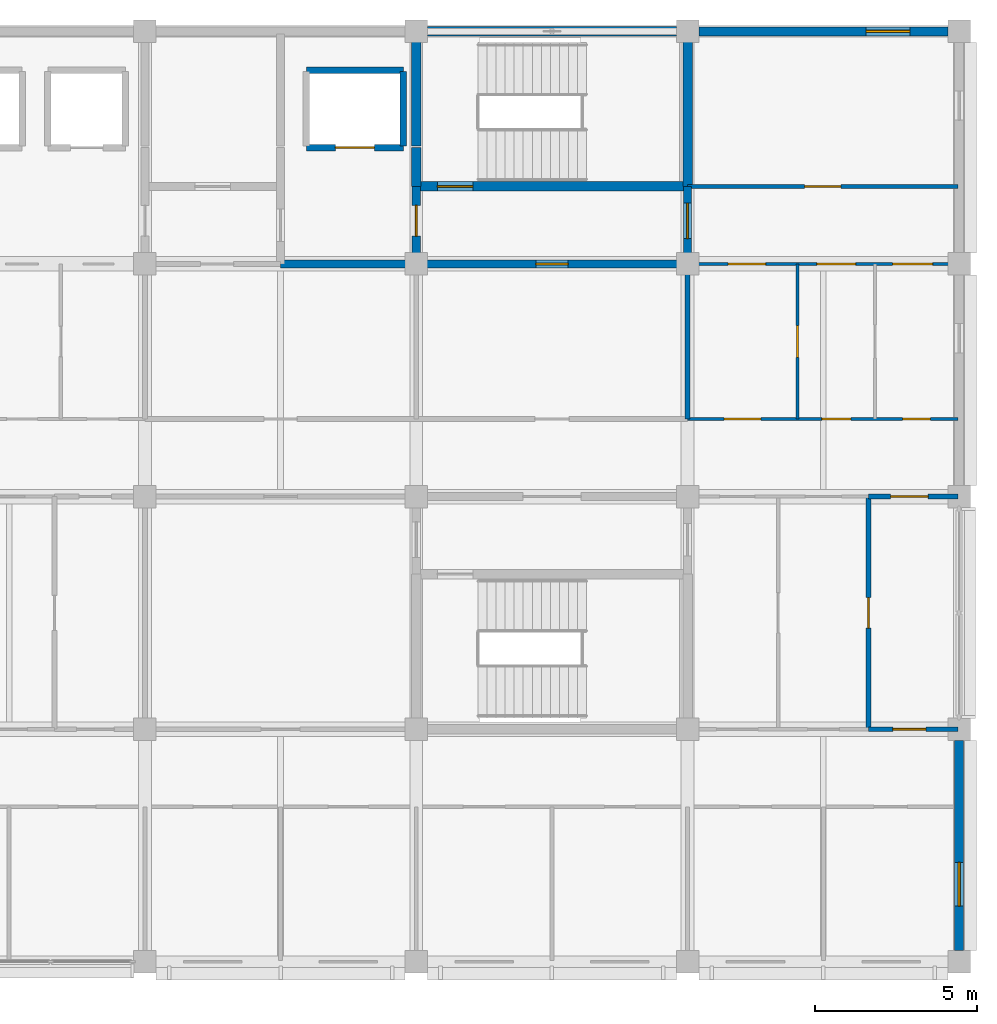
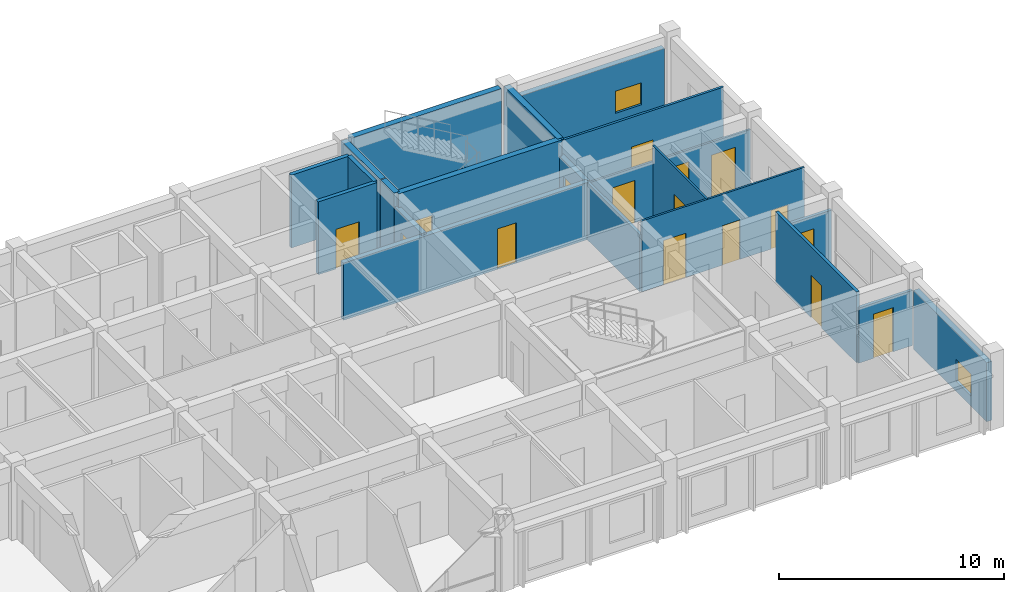
# One storey, part 16 of 19: 21 walls, 16 doors, 2 windows, 18 openings.
"""IFC4 building model written with IfcOpenShell, lengths in metres."""

from ifc_helpers import new_model, si_unit, direction, frame, frame_2d, origin, place, context, subcontext, project, spatial, rectangle, extrude, material, layer, layer_set, type_object, element, fill, save


model = new_model("IFC4")

# Units and contexts
model_context = context("Model", 3, precision=1e-05, world=origin(), true_north=direction((0.0, 1.0)))
body_context = subcontext(model_context, "Body", "Model", "MODEL_VIEW")
ifc_project = project(units=[si_unit("LENGTHUNIT", "METRE"), si_unit("AREAUNIT", "SQUARE_METRE"), si_unit("VOLUMEUNIT", "CUBIC_METRE"), si_unit("PLANEANGLEUNIT", "RADIAN"), si_unit("MASSUNIT", "GRAM", prefix="KILO")], contexts=[model_context])

# Site, building, storey
site_placement = place(None, origin())
site = spatial("IfcSite", under=ifc_project, at=site_placement, CompositionType="ELEMENT")
building_placement = place(site_placement, origin())
building = spatial("IfcBuilding", under=site, at=building_placement, Name="Chengyuan Square Courthouse", CompositionType="ELEMENT")
storey_placement = place(building_placement, frame((0.0, 0.0, 56.10009765625)))
storey = spatial("IfcBuildingStorey", under=building, at=storey_placement, Name="L13", CompositionType="ELEMENT", Elevation=56.10009765625)

# Wall, opening, window
ifc_material_1 = material(Name="Concrete C40", Category="concrete")
ifc_layer_1 = layer(ifc_material_1, 0.280029296875)
ifc_layer_set_1 = layer_set([ifc_layer_1], Name="Concrete C40")
wall_type_1 = type_object("IfcWallType", Name="WL-EW4", PredefinedType="STANDARD", material=ifc_layer_set_1)
wall_1_placement = place(storey_placement, frame((117.60009765625, 79.544921875, 0.0), z_axis=(0.0, 0.0, 1.0), x_axis=(0.0, 1.0, 0.0)))
wall_1 = element("IfcWall", 1, at=wall_1_placement, inside=storey, type_object=wall_type_1, Name="Exterior Wall WL-L13-E504", PredefinedType="STANDARD", context=body_context, shape_type="SweptSolid", body=[
    extrude(rectangle(XDim=6.510009765625, YDim=0.280029296875, at=frame_2d((3.2548828125, 0.0))), origin(), (0.0, 0.0, 1.0), 3.199951171875),
])
opening_1_placement = place(wall_1_placement, frame((1.3798828125, 0.0, 0.550048828125)))
opening_1 = element("IfcOpeningElement", 2, at=opening_1_placement, cuts=wall_1, Name="Opening WN-236", PredefinedType="OPENING", context=body_context, shape_type="SweptSolid", body=[
    extrude(rectangle(XDim=1.35009765625, YDim=1.199951171875, at=frame_2d((0.675048828125, 0.60009765625))), frame((0.0, 0.152099609375, 0.0), z_axis=(0.0, -1.0, 0.0), x_axis=(1.0, 0.0, 0.0)), (0.0, 0.0, 1.0), 0.303955078125),
])
ifc_material_2 = material(Name="Thermally Broken Aluminium Triple Low-E Window", Category="aluminium")
window_type = type_object("IfcWindowType", Name="WT-19", PartitioningType="SINGLE_PANEL", PredefinedType="WINDOW", material=ifc_material_2)
window_1_placement = place(opening_1_placement, origin())
window_1 = element("IfcWindow", 3, at=window_1_placement, inside=storey, type_object=window_type, Name="Facade Window WN-236", OverallHeight=1.199951171875, OverallWidth=1.35009765625, PartitioningType="SINGLE_PANEL", PredefinedType="WINDOW", context=body_context, shape_type="SweptSolid", body=[
    extrude(rectangle(XDim=1.35009765625, YDim=1.199951171875, at=frame_2d((0.675048828125, 0.60009765625))), frame((0.0, 0.030029296875, 0.0), z_axis=(0.0, -1.0, 0.0), x_axis=(1.0, 0.0, 0.0)), (0.0, 0.0, 1.0), 0.06005859375),
])
fill(opening_1, window_1)

wall_2_placement = place(storey_placement, frame((109.544921875, 108.0, 0.0), z_axis=(0.0, 0.0, 1.0), x_axis=(1.0, 0.0, 0.0)))
wall_2 = element("IfcWall", 4, at=wall_2_placement, inside=storey, type_object=wall_type_1, Name="Exterior Wall WL-L13-E506", PredefinedType="STANDARD", context=body_context, shape_type="SweptSolid", body=[
    extrude(rectangle(XDim=7.7099609375, YDim=0.280029296875, at=frame_2d((3.85498046875, 0.0))), origin(), (0.0, 0.0, 1.0), 3.199951171875),
])
opening_2_placement = place(wall_2_placement, frame((5.179931640625, 0.0, 0.550048828125)))
opening_2 = element("IfcOpeningElement", 5, at=opening_2_placement, cuts=wall_2, Name="Opening WN-238", PredefinedType="OPENING", context=body_context, shape_type="SweptSolid", body=[
    extrude(rectangle(XDim=1.35009765625, YDim=1.199951171875, at=frame_2d((0.675048828125, 0.60009765625))), frame((0.0, 0.152099609375, 0.0), z_axis=(0.0, -1.0, 0.0), x_axis=(1.0, 0.0, 0.0)), (0.0, 0.0, 1.0), 0.303955078125),
])
window_2_placement = place(opening_2_placement, origin())
window_2 = element("IfcWindow", 6, at=window_2_placement, inside=storey, type_object=window_type, Name="Facade Window WN-238", OverallHeight=1.199951171875, OverallWidth=1.35009765625, PartitioningType="SINGLE_PANEL", PredefinedType="WINDOW", context=body_context, shape_type="SweptSolid", body=[
    extrude(rectangle(XDim=1.35009765625, YDim=1.199951171875, at=frame_2d((0.675048828125, 0.60009765625))), frame((0.0, 0.030029296875, 0.0), z_axis=(0.0, -1.0, 0.0), x_axis=(1.0, 0.0, 0.0)), (0.0, 0.0, 1.0), 0.06005859375),
])
fill(opening_2, window_2)

# Wall, opening, door
ifc_layer_2 = layer(ifc_material_1, 0.25)
ifc_layer_set_2 = layer_set([ifc_layer_2], Name="Concrete C40")
wall_type_2 = type_object("IfcWallType", Name="WL-FW1", PredefinedType="STANDARD", material=ifc_layer_set_2)
wall_3_placement = place(storey_placement, frame((96.60009765625, 100.800048828125, 0.0), z_axis=(0.0, 0.0, 1.0), x_axis=(1.0, 0.0, 0.0)))
wall_3 = element("IfcWall", 7, at=wall_3_placement, inside=storey, type_object=wall_type_2, Name="Interior Wall WL-L13-I3801", PredefinedType="STANDARD", context=body_context, shape_type="SweptSolid", body=[
    extrude(rectangle(XDim=12.599853515625, YDim=0.25, at=frame_2d((6.2998046875, 0.0))), origin(), (0.0, 0.0, 1.0), 3.10986328125),
])
opening_3_placement = place(wall_3_placement, frame((7.89990234375, 0.0, 0.0)))
opening_3 = element("IfcOpeningElement", 8, at=opening_3_placement, cuts=wall_3, Name="Opening DR-3132", PredefinedType="OPENING", context=body_context, shape_type="SweptSolid", body=[
    extrude(rectangle(XDim=1.0, YDim=2.199951171875, at=frame_2d((0.5, 1.10009765625))), frame((0.0, 0.136962890625, 0.0), z_axis=(0.0, -1.0, 0.0), x_axis=(1.0, 0.0, 0.0)), (0.0, 0.0, 1.0), 0.27392578125),
])
ifc_material_3 = material(Name="Steel Q235B Fire Door", Category="steel")
door_type_1 = type_object("IfcDoorType", Name="DT-11", OperationType="NOTDEFINED", PredefinedType="DOOR", material=ifc_material_3)
door_1_placement = place(opening_3_placement, origin())
door_1 = element("IfcDoor", 9, at=door_1_placement, inside=storey, type_object=door_type_1, Name="Interior Door DR-3132", OperationType="SINGLE_SWING_LEFT", OverallHeight=2.199951171875, OverallWidth=1.0, PredefinedType="DOOR", context=body_context, shape_type="SweptSolid", body=[
    extrude(rectangle(XDim=1.0, YDim=2.199951171875, at=frame_2d((0.5, 1.10009765625))), frame((0.0, 0.02490234375, 0.0), z_axis=(0.0, -1.0, 0.0), x_axis=(1.0, 0.0, 0.0)), (0.0, 0.0, 1.0), 0.050048828125),
])
fill(opening_3, door_1)

wall_4_placement = place(storey_placement, frame((100.800048828125, 100.800048828125, 0.0), z_axis=(0.0, 0.0, 1.0), x_axis=(0.0, 1.0, 0.0)))
wall_4 = element("IfcWall", 10, at=wall_4_placement, inside=storey, type_object=wall_type_2, Name="Interior Wall WL-L13-I3884", PredefinedType="STANDARD", context=body_context, shape_type="SweptSolid", body=[
    extrude(rectangle(XDim=2.39990234375, YDim=0.25, at=frame_2d((1.199951171875, 0.0))), origin(), (0.0, 0.0, 1.0), 3.2099609375),
])
opening_4_placement = place(wall_4_placement, frame((0.860107421875, 0.0, 0.0)))
opening_4 = element("IfcOpeningElement", 11, at=opening_4_placement, cuts=wall_4, Name="Opening DR-3130", PredefinedType="OPENING", context=body_context, shape_type="SweptSolid", body=[
    extrude(rectangle(XDim=0.949951171875, YDim=2.14990234375, at=frame_2d((0.47509765625, 1.074951171875))), frame((0.0, 0.136962890625, 0.0), z_axis=(0.0, -1.0, 0.0), x_axis=(1.0, 0.0, 0.0)), (0.0, 0.0, 1.0), 0.27392578125),
])
door_type_2 = type_object("IfcDoorType", Name="DT-12", OperationType="NOTDEFINED", PredefinedType="DOOR", material=ifc_material_3)
door_2_placement = place(opening_4_placement, origin())
door_2 = element("IfcDoor", 12, at=door_2_placement, inside=storey, type_object=door_type_2, Name="Interior Door DR-3130", OperationType="SINGLE_SWING_LEFT", OverallHeight=2.14990234375, OverallWidth=0.949951171875, PredefinedType="DOOR", context=body_context, shape_type="SweptSolid", body=[
    extrude(rectangle(XDim=0.949951171875, YDim=2.14990234375, at=frame_2d((0.47509765625, 1.074951171875))), frame((0.0, 0.02490234375, 0.0), z_axis=(0.0, -1.0, 0.0), x_axis=(1.0, 0.0, 0.0)), (0.0, 0.0, 1.0), 0.050048828125),
])
fill(opening_4, door_2)

wall_5_placement = place(storey_placement, frame((109.199951171875, 100.800048828125, 0.0), z_axis=(0.0, 0.0, 1.0), x_axis=(0.0, 1.0, 0.0)))
wall_5 = element("IfcWall", 13, at=wall_5_placement, inside=storey, type_object=wall_type_2, Name="Interior Wall WL-L13-I3892", PredefinedType="STANDARD", context=body_context, shape_type="SweptSolid", body=[
    extrude(rectangle(XDim=2.39990234375, YDim=0.25, at=frame_2d((1.199951171875, 0.0))), origin(), (0.0, 0.0, 1.0), 3.099853515625),
])
opening_5_placement = place(wall_5_placement, frame((0.784912109375, 0.0, 0.0)))
opening_5 = element("IfcOpeningElement", 14, at=opening_5_placement, cuts=wall_5, Name="Opening DR-3131", PredefinedType="OPENING", context=body_context, shape_type="SweptSolid", body=[
    extrude(rectangle(XDim=1.10009765625, YDim=2.199951171875, at=frame_2d((0.550048828125, 1.10009765625))), frame((0.0, 0.136962890625, 0.0), z_axis=(0.0, -1.0, 0.0), x_axis=(1.0, 0.0, 0.0)), (0.0, 0.0, 1.0), 0.27392578125),
])
door_type_3 = type_object("IfcDoorType", Name="DT-10", OperationType="NOTDEFINED", PredefinedType="DOOR", material=ifc_material_3)
door_3_placement = place(opening_5_placement, origin())
door_3 = element("IfcDoor", 15, at=door_3_placement, inside=storey, type_object=door_type_3, Name="Interior Door DR-3131", OperationType="SINGLE_SWING_RIGHT", OverallHeight=2.199951171875, OverallWidth=1.10009765625, PredefinedType="DOOR", context=body_context, shape_type="SweptSolid", body=[
    extrude(rectangle(XDim=1.10009765625, YDim=2.199951171875, at=frame_2d((0.550048828125, 1.10009765625))), frame((0.0, 0.02490234375, 0.0), z_axis=(0.0, -1.0, 0.0), x_axis=(1.0, 0.0, 0.0)), (0.0, 0.0, 1.0), 0.050048828125),
])
fill(opening_5, door_3)

ifc_material_4 = material(Name="Deliberation Room Sound-Insulated Partition")
ifc_layer_3 = layer(ifc_material_4, 0.14990234375)
ifc_layer_set_3 = layer_set([ifc_layer_3], Name="Deliberation Room Sound-Insulated Partition")
wall_type_3 = type_object("IfcWallType", Name="WL-PT3", PredefinedType="STANDARD", material=ifc_layer_set_3)
wall_6_placement = place(storey_placement, frame((114.800048828125, 86.39990234375, 0.0), z_axis=(0.0, 0.0, 1.0), x_axis=(1.0, 0.0, 0.0)))
wall_6 = element("IfcWall", 16, at=wall_6_placement, inside=storey, type_object=wall_type_3, Name="Interior Wall WL-L13-I3778", PredefinedType="STANDARD", context=body_context, shape_type="SweptSolid", body=[
    extrude(rectangle(XDim=2.760009765625, YDim=0.14990234375, at=frame_2d((1.3798828125, 0.0))), origin(), (0.0, 0.0, 1.0), 3.0),
])
opening_6_placement = place(wall_6_placement, frame((0.7548828125, 0.0, 0.0)))
opening_6 = element("IfcOpeningElement", 17, at=opening_6_placement, cuts=wall_6, Name="Opening DR-3214", PredefinedType="OPENING", context=body_context, shape_type="SweptSolid", body=[
    extrude(rectangle(XDim=1.02001953125, YDim=2.39990234375, at=frame_2d((0.510009765625, 1.199951171875))), frame((0.0, 0.0869140625, 0.0), z_axis=(0.0, -1.0, 0.0), x_axis=(1.0, 0.0, 0.0)), (0.0, 0.0, 1.0), 0.173828125),
])
ifc_material_5 = material(Name="Acoustic Solid-Core Timber Door", Category="wood")
door_type_4 = type_object("IfcDoorType", Name="DT-41", OperationType="NOTDEFINED", PredefinedType="DOOR", material=ifc_material_5)
door_4_placement = place(opening_6_placement, origin())
door_4 = element("IfcDoor", 18, at=door_4_placement, inside=storey, type_object=door_type_4, Name="Interior Door DR-3214", OperationType="SINGLE_SWING_LEFT", OverallHeight=2.39990234375, OverallWidth=1.02001953125, PredefinedType="DOOR", context=body_context, shape_type="SweptSolid", body=[
    extrude(rectangle(XDim=1.02001953125, YDim=2.39990234375, at=frame_2d((0.510009765625, 1.199951171875))), frame((0.0, 0.02490234375, 0.0), z_axis=(0.0, -1.0, 0.0), x_axis=(1.0, 0.0, 0.0)), (0.0, 0.0, 1.0), 0.050048828125),
])
fill(opening_6, door_4)

wall_7_placement = place(storey_placement, frame((114.800048828125, 93.60009765625, 0.0), z_axis=(0.0, 0.0, 1.0), x_axis=(1.0, 0.0, 0.0)))
wall_7 = element("IfcWall", 19, at=wall_7_placement, inside=storey, type_object=wall_type_3, Name="Interior Wall WL-L13-I3790", PredefinedType="STANDARD", context=body_context, shape_type="SweptSolid", body=[
    extrude(rectangle(XDim=2.760009765625, YDim=0.14990234375, at=frame_2d((1.3798828125, 0.0))), origin(), (0.0, 0.0, 1.0), 3.0),
])
opening_7_placement = place(wall_7_placement, frame((0.68505859375, 0.0, 0.0)))
opening_7 = element("IfcOpeningElement", 20, at=opening_7_placement, cuts=wall_7, Name="Opening DR-3191", PredefinedType="OPENING", context=body_context, shape_type="SweptSolid", body=[
    extrude(rectangle(XDim=1.159912109375, YDim=2.300048828125, at=frame_2d((0.580078125, 1.14990234375))), frame((0.0, 0.0869140625, 0.0), z_axis=(0.0, -1.0, 0.0), x_axis=(1.0, 0.0, 0.0)), (0.0, 0.0, 1.0), 0.173828125),
])
door_type_5 = type_object("IfcDoorType", Name="DT-35", OperationType="NOTDEFINED", PredefinedType="DOOR", material=ifc_material_5)
door_5_placement = place(opening_7_placement, origin())
door_5 = element("IfcDoor", 21, at=door_5_placement, inside=storey, type_object=door_type_5, Name="Interior Door DR-3191", OperationType="SINGLE_SWING_RIGHT", OverallHeight=2.300048828125, OverallWidth=1.159912109375, PredefinedType="DOOR", context=body_context, shape_type="SweptSolid", body=[
    extrude(rectangle(XDim=1.159912109375, YDim=2.300048828125, at=frame_2d((0.580078125, 1.14990234375))), frame((0.0, 0.02490234375, 0.0), z_axis=(0.0, -1.0, 0.0), x_axis=(1.0, 0.0, 0.0)), (0.0, 0.0, 1.0), 0.050048828125),
])
fill(opening_7, door_5)

# Wall
wall_8_placement = place(storey_placement, frame((109.199951171875, 96.0, 0.0), z_axis=(0.0, 0.0, 1.0), x_axis=(0.0, 1.0, 0.0)))
element("IfcWall", 22, at=wall_8_placement, inside=storey, type_object=wall_type_3, Name="Interior Wall WL-L13-I3891", PredefinedType="STANDARD", context=body_context, shape_type="SweptSolid", body=[
    extrude(rectangle(XDim=4.800048828125, YDim=0.14990234375, at=frame_2d((2.39990234375, 0.0))), origin(), (0.0, 0.0, 1.0), 3.099853515625),
])

# Wall, opening, door
wall_9_placement = place(storey_placement, frame((114.800048828125, 86.39990234375, 0.0), z_axis=(0.0, 0.0, 1.0), x_axis=(0.0, 1.0, 0.0)))
wall_9 = element("IfcWall", 23, at=wall_9_placement, inside=storey, type_object=wall_type_3, Name="Interior Wall WL-L13-I3897", PredefinedType="STANDARD", context=body_context, shape_type="SweptSolid", body=[
    extrude(rectangle(XDim=7.2001953125, YDim=0.14990234375, at=frame_2d((3.60009765625, 0.0))), origin(), (0.0, 0.0, 1.0), 3.849853515625),
])
opening_8_placement = place(wall_9_placement, frame((3.1298828125, 0.0, 0.0)))
opening_8 = element("IfcOpeningElement", 24, at=opening_8_placement, cuts=wall_9, Name="Opening DR-3212", PredefinedType="OPENING", context=body_context, shape_type="SweptSolid", body=[
    extrude(rectangle(XDim=0.93994140625, YDim=2.300048828125, at=frame_2d((0.469970703125, 1.14990234375))), frame((0.0, 0.0869140625, 0.0), z_axis=(0.0, -1.0, 0.0), x_axis=(1.0, 0.0, 0.0)), (0.0, 0.0, 1.0), 0.173828125),
])
door_type_6 = type_object("IfcDoorType", Name="DT-39", OperationType="NOTDEFINED", PredefinedType="DOOR", material=ifc_material_5)
door_6_placement = place(opening_8_placement, origin())
door_6 = element("IfcDoor", 25, at=door_6_placement, inside=storey, type_object=door_type_6, Name="Interior Door DR-3212", OperationType="SINGLE_SWING_LEFT", OverallHeight=2.300048828125, OverallWidth=0.93994140625, PredefinedType="DOOR", context=body_context, shape_type="SweptSolid", body=[
    extrude(rectangle(XDim=0.93994140625, YDim=2.300048828125, at=frame_2d((0.469970703125, 1.14990234375))), frame((0.0, 0.02490234375, 0.0), z_axis=(0.0, -1.0, 0.0), x_axis=(1.0, 0.0, 0.0)), (0.0, 0.0, 1.0), 0.050048828125),
])
fill(opening_8, door_6)

ifc_material_6 = material(Name="Judges Chambers Gypsum Stud Partition")
ifc_layer_4 = layer(ifc_material_6, 0.1201171875)
ifc_layer_set_4 = layer_set([ifc_layer_4], Name="Judges Chambers Gypsum Stud Partition")
wall_type_4 = type_object("IfcWallType", Name="WL-PT5", PredefinedType="STANDARD", material=ifc_layer_set_4)
wall_10_placement = place(storey_placement, frame((109.199951171875, 103.199951171875, 0.0), z_axis=(0.0, 0.0, 1.0), x_axis=(1.0, 0.0, 0.0)))
wall_10 = element("IfcWall", 26, at=wall_10_placement, inside=storey, type_object=wall_type_4, Name="Interior Wall WL-L13-I3808", PredefinedType="STANDARD", context=body_context, shape_type="SweptSolid", body=[
    extrude(rectangle(XDim=8.360107421875, YDim=0.1201171875, at=frame_2d((4.18017578125, 0.0))), origin(), (0.0, 0.0, 1.0), 3.849853515625),
])
opening_9_placement = place(wall_10_placement, frame((3.6201171875, 0.0, 0.0)))
opening_9 = element("IfcOpeningElement", 27, at=opening_9_placement, cuts=wall_10, Name="Opening DR-3156", PredefinedType="OPENING", context=body_context, shape_type="SweptSolid", body=[
    extrude(rectangle(XDim=1.1201171875, YDim=2.25, at=frame_2d((0.56005859375, 1.125))), frame((0.0, 0.072021484375, 0.0), z_axis=(0.0, -1.0, 0.0), x_axis=(1.0, 0.0, 0.0)), (0.0, 0.0, 1.0), 0.14404296875),
])
door_type_7 = type_object("IfcDoorType", Name="DT-34", OperationType="NOTDEFINED", PredefinedType="DOOR", material=ifc_material_5)
door_7_placement = place(opening_9_placement, origin())
door_7 = element("IfcDoor", 28, at=door_7_placement, inside=storey, type_object=door_type_7, Name="Interior Door DR-3156", OperationType="SINGLE_SWING_RIGHT", OverallHeight=2.25, OverallWidth=1.1201171875, PredefinedType="DOOR", context=body_context, shape_type="SweptSolid", body=[
    extrude(rectangle(XDim=1.1201171875, YDim=2.25, at=frame_2d((0.56005859375, 1.125))), frame((0.0, 0.02490234375, 0.0), z_axis=(0.0, -1.0, 0.0), x_axis=(1.0, 0.0, 0.0)), (0.0, 0.0, 1.0), 0.050048828125),
])
fill(opening_9, door_7)

# Wall, openings, doors
ifc_material_7 = material(Name="Gypsum Plasterboard Acoustic Stud Partition")
ifc_layer_5 = layer(ifc_material_7, 0.10009765625)
ifc_layer_set_5 = layer_set([ifc_layer_5], Name="Gypsum Plasterboard Acoustic Stud Partition")
wall_type_5 = type_object("IfcWallType", Name="WL-PT6", PredefinedType="STANDARD", material=ifc_layer_set_5)
wall_11_placement = place(storey_placement, frame((109.199951171875, 96.0, 0.0), z_axis=(0.0, 0.0, 1.0), x_axis=(1.0, 0.0, 0.0)))
wall_11 = element("IfcWall", 29, at=wall_11_placement, inside=storey, type_object=wall_type_5, Name="Interior Wall WL-L13-I3795", PredefinedType="STANDARD", context=body_context, shape_type="SweptSolid", body=[
    extrude(rectangle(XDim=8.360107421875, YDim=0.10009765625, at=frame_2d((4.18017578125, 0.0))), origin(), (0.0, 0.0, 1.0), 3.849853515625),
])
opening_10_placement = place(wall_11_placement, frame((1.1298828125, 0.0, 0.0)))
opening_10 = element("IfcOpeningElement", 30, at=opening_10_placement, cuts=wall_11, Name="Opening DR-3182", PredefinedType="OPENING", context=body_context, shape_type="SweptSolid", body=[
    extrude(rectangle(XDim=1.139892578125, YDim=2.39990234375, at=frame_2d((0.56982421875, 1.199951171875))), frame((0.0, 0.06201171875, 0.0), z_axis=(0.0, -1.0, 0.0), x_axis=(1.0, 0.0, 0.0)), (0.0, 0.0, 1.0), 0.1240234375),
])
opening_11_placement = place(wall_11_placement, frame((4.14990234375, 0.0, 0.0)))
opening_11 = element("IfcOpeningElement", 31, at=opening_11_placement, cuts=wall_11, Name="Opening DR-3183", PredefinedType="OPENING", context=body_context, shape_type="SweptSolid", body=[
    extrude(rectangle(XDim=0.89990234375, YDim=2.14990234375, at=frame_2d((0.449951171875, 1.074951171875))), frame((0.0, 0.06201171875, 0.0), z_axis=(0.0, -1.0, 0.0), x_axis=(1.0, 0.0, 0.0)), (0.0, 0.0, 1.0), 0.1240234375),
])
opening_12_placement = place(wall_11_placement, frame((6.64990234375, 0.0, 0.0)))
opening_12 = element("IfcOpeningElement", 32, at=opening_12_placement, cuts=wall_11, Name="Opening DR-3184", PredefinedType="OPENING", context=body_context, shape_type="SweptSolid", body=[
    extrude(rectangle(XDim=0.860107421875, YDim=2.10009765625, at=frame_2d((0.43017578125, 1.050048828125))), frame((0.0, 0.06201171875, 0.0), z_axis=(0.0, -1.0, 0.0), x_axis=(1.0, 0.0, 0.0)), (0.0, 0.0, 1.0), 0.1240234375),
])
door_type_8 = type_object("IfcDoorType", Name="DT-27", OperationType="NOTDEFINED", PredefinedType="DOOR", material=ifc_material_5)
door_8_placement = place(opening_11_placement, origin())
door_8 = element("IfcDoor", 33, at=door_8_placement, inside=storey, type_object=door_type_8, Name="Interior Door DR-3183", OperationType="SINGLE_SWING_RIGHT", OverallHeight=2.14990234375, OverallWidth=0.89990234375, PredefinedType="DOOR", context=body_context, shape_type="SweptSolid", body=[
    extrude(rectangle(XDim=0.89990234375, YDim=2.14990234375, at=frame_2d((0.449951171875, 1.074951171875))), frame((0.0, 0.02490234375, 0.0), z_axis=(0.0, -1.0, 0.0), x_axis=(1.0, 0.0, 0.0)), (0.0, 0.0, 1.0), 0.050048828125),
])
fill(opening_11, door_8)
door_type_9 = type_object("IfcDoorType", Name="DT-28", OperationType="NOTDEFINED", PredefinedType="DOOR", material=ifc_material_5)
door_9_placement = place(opening_12_placement, origin())
door_9 = element("IfcDoor", 34, at=door_9_placement, inside=storey, type_object=door_type_9, Name="Interior Door DR-3184", OperationType="SINGLE_SWING_LEFT", OverallHeight=2.10009765625, OverallWidth=0.860107421875, PredefinedType="DOOR", context=body_context, shape_type="SweptSolid", body=[
    extrude(rectangle(XDim=0.860107421875, YDim=2.10009765625, at=frame_2d((0.43017578125, 1.050048828125))), frame((0.0, 0.02490234375, 0.0), z_axis=(0.0, -1.0, 0.0), x_axis=(1.0, 0.0, 0.0)), (0.0, 0.0, 1.0), 0.050048828125),
])
fill(opening_12, door_9)
door_type_10 = type_object("IfcDoorType", Name="DT-43", OperationType="NOTDEFINED", PredefinedType="DOOR", material=ifc_material_5)
door_10_placement = place(opening_10_placement, origin())
door_10 = element("IfcDoor", 35, at=door_10_placement, inside=storey, type_object=door_type_10, Name="Interior Door DR-3182", OperationType="SINGLE_SWING_LEFT", OverallHeight=2.39990234375, OverallWidth=1.139892578125, PredefinedType="DOOR", context=body_context, shape_type="SweptSolid", body=[
    extrude(rectangle(XDim=1.139892578125, YDim=2.39990234375, at=frame_2d((0.56982421875, 1.199951171875))), frame((0.0, 0.02490234375, 0.0), z_axis=(0.0, -1.0, 0.0), x_axis=(1.0, 0.0, 0.0)), (0.0, 0.0, 1.0), 0.050048828125),
])
fill(opening_10, door_10)

wall_12_placement = place(storey_placement, frame((109.199951171875, 100.800048828125, 0.0), z_axis=(0.0, 0.0, 1.0), x_axis=(1.0, 0.0, 0.0)))
wall_12 = element("IfcWall", 36, at=wall_12_placement, inside=storey, type_object=wall_type_5, Name="Interior Wall WL-L13-I3802", PredefinedType="STANDARD", context=body_context, shape_type="SweptSolid", body=[
    extrude(rectangle(XDim=8.360107421875, YDim=0.10009765625, at=frame_2d((4.18017578125, 0.0))), origin(), (0.0, 0.0, 1.0), 3.0),
])
opening_13_placement = place(wall_12_placement, frame((1.2548828125, 0.0, 0.0)))
opening_13 = element("IfcOpeningElement", 37, at=opening_13_placement, cuts=wall_12, Name="Opening DR-3157", PredefinedType="OPENING", context=body_context, shape_type="SweptSolid", body=[
    extrude(rectangle(XDim=1.159912109375, YDim=2.300048828125, at=frame_2d((0.580078125, 1.14990234375))), frame((0.0, 0.06201171875, 0.0), z_axis=(0.0, -1.0, 0.0), x_axis=(1.0, 0.0, 0.0)), (0.0, 0.0, 1.0), 0.1240234375),
])
opening_14_placement = place(wall_12_placement, frame((4.0, 0.0, 0.0)))
opening_14 = element("IfcOpeningElement", 38, at=opening_14_placement, cuts=wall_12, Name="Opening DR-3158", PredefinedType="OPENING", context=body_context, shape_type="SweptSolid", body=[
    extrude(rectangle(XDim=1.199951171875, YDim=2.35009765625, at=frame_2d((0.60009765625, 1.175048828125))), frame((0.0, 0.06201171875, 0.0), z_axis=(0.0, -1.0, 0.0), x_axis=(1.0, 0.0, 0.0)), (0.0, 0.0, 1.0), 0.1240234375),
])
opening_15_placement = place(wall_12_placement, frame((6.344970703125, 0.0, 0.0)))
opening_15 = element("IfcOpeningElement", 39, at=opening_15_placement, cuts=wall_12, Name="Opening DR-3159", PredefinedType="OPENING", context=body_context, shape_type="SweptSolid", body=[
    extrude(rectangle(XDim=1.239990234375, YDim=2.300048828125, at=frame_2d((0.6201171875, 1.14990234375))), frame((0.0, 0.06201171875, 0.0), z_axis=(0.0, -1.0, 0.0), x_axis=(1.0, 0.0, 0.0)), (0.0, 0.0, 1.0), 0.1240234375),
])
door_11_placement = place(opening_13_placement, origin())
door_11 = element("IfcDoor", 40, at=door_11_placement, inside=storey, type_object=door_type_5, Name="Interior Door DR-3157", OperationType="SINGLE_SWING_LEFT", OverallHeight=2.300048828125, OverallWidth=1.159912109375, PredefinedType="DOOR", context=body_context, shape_type="SweptSolid", body=[
    extrude(rectangle(XDim=1.159912109375, YDim=2.300048828125, at=frame_2d((0.580078125, 1.14990234375))), frame((0.0, 0.02490234375, 0.0), z_axis=(0.0, -1.0, 0.0), x_axis=(1.0, 0.0, 0.0)), (0.0, 0.0, 1.0), 0.050048828125),
])
fill(opening_13, door_11)
door_type_11 = type_object("IfcDoorType", Name="DT-36", OperationType="NOTDEFINED", PredefinedType="DOOR", material=ifc_material_5)
door_12_placement = place(opening_14_placement, origin())
door_12 = element("IfcDoor", 41, at=door_12_placement, inside=storey, type_object=door_type_11, Name="Interior Door DR-3158", OperationType="SINGLE_SWING_RIGHT", OverallHeight=2.35009765625, OverallWidth=1.199951171875, PredefinedType="DOOR", context=body_context, shape_type="SweptSolid", body=[
    extrude(rectangle(XDim=1.199951171875, YDim=2.35009765625, at=frame_2d((0.60009765625, 1.175048828125))), frame((0.0, 0.02490234375, 0.0), z_axis=(0.0, -1.0, 0.0), x_axis=(1.0, 0.0, 0.0)), (0.0, 0.0, 1.0), 0.050048828125),
])
fill(opening_14, door_12)
door_type_12 = type_object("IfcDoorType", Name="DT-37", OperationType="NOTDEFINED", PredefinedType="DOOR", material=ifc_material_5)
door_13_placement = place(opening_15_placement, origin())
door_13 = element("IfcDoor", 42, at=door_13_placement, inside=storey, type_object=door_type_12, Name="Interior Door DR-3159", OperationType="SINGLE_SWING_LEFT", OverallHeight=2.300048828125, OverallWidth=1.239990234375, PredefinedType="DOOR", context=body_context, shape_type="SweptSolid", body=[
    extrude(rectangle(XDim=1.239990234375, YDim=2.300048828125, at=frame_2d((0.6201171875, 1.14990234375))), frame((0.0, 0.02490234375, 0.0), z_axis=(0.0, -1.0, 0.0), x_axis=(1.0, 0.0, 0.0)), (0.0, 0.0, 1.0), 0.050048828125),
])
fill(opening_15, door_13)

# Wall, opening, door
wall_13_placement = place(storey_placement, frame((112.60009765625, 96.0, 0.0), z_axis=(0.0, 0.0, 1.0), x_axis=(0.0, 1.0, 0.0)))
wall_13 = element("IfcWall", 43, at=wall_13_placement, inside=storey, type_object=wall_type_5, Name="Interior Wall WL-L13-I3895", PredefinedType="STANDARD", context=body_context, shape_type="SweptSolid", body=[
    extrude(rectangle(XDim=4.800048828125, YDim=0.10009765625, at=frame_2d((2.39990234375, 0.0))), origin(), (0.0, 0.0, 1.0), 3.849853515625),
])
opening_16_placement = place(wall_13_placement, frame((1.909912109375, 0.0, 0.0)))
opening_16 = element("IfcOpeningElement", 44, at=opening_16_placement, cuts=wall_13, Name="Opening DR-3196", PredefinedType="OPENING", context=body_context, shape_type="SweptSolid", body=[
    extrude(rectangle(XDim=0.97998046875, YDim=2.35009765625, at=frame_2d((0.489990234375, 1.175048828125))), frame((0.0, 0.06201171875, 0.0), z_axis=(0.0, -1.0, 0.0), x_axis=(1.0, 0.0, 0.0)), (0.0, 0.0, 1.0), 0.1240234375),
])
door_type_13 = type_object("IfcDoorType", Name="DT-40", OperationType="NOTDEFINED", PredefinedType="DOOR", material=ifc_material_5)
door_14_placement = place(opening_16_placement, origin())
door_14 = element("IfcDoor", 45, at=door_14_placement, inside=storey, type_object=door_type_13, Name="Interior Door DR-3196", OperationType="SINGLE_SWING_LEFT", OverallHeight=2.35009765625, OverallWidth=0.97998046875, PredefinedType="DOOR", context=body_context, shape_type="SweptSolid", body=[
    extrude(rectangle(XDim=0.97998046875, YDim=2.35009765625, at=frame_2d((0.489990234375, 1.175048828125))), frame((0.0, 0.02490234375, 0.0), z_axis=(0.0, -1.0, 0.0), x_axis=(1.0, 0.0, 0.0)), (0.0, 0.0, 1.0), 0.050048828125),
])
fill(opening_16, door_14)

ifc_material_8 = material(Name="Reinforced Masonry Shaft Enclosure", Category="masonry")
ifc_layer_6 = layer(ifc_material_8, 0.199951171875)
ifc_layer_set_6 = layer_set([ifc_layer_6], Name="Reinforced Masonry Shaft Enclosure")
wall_type_6 = type_object("IfcWallType", Name="WL-SH1", PredefinedType="STANDARD", material=ifc_layer_set_6)
wall_14_placement = place(storey_placement, frame((97.39990234375, 104.39990234375, 0.0), z_axis=(0.0, 0.0, 1.0), x_axis=(1.0, 0.0, 0.0)))
wall_14 = element("IfcWall", 46, at=wall_14_placement, inside=storey, type_object=wall_type_6, Name="Interior Wall WL-L13-I3816", PredefinedType="STANDARD", context=body_context, shape_type="SweptSolid", body=[
    extrude(rectangle(XDim=3.0, YDim=0.199951171875, at=frame_2d((1.5, 0.0))), origin(), (0.0, 0.0, 1.0), 3.9599609375),
])
opening_17_placement = place(wall_14_placement, frame((0.89990234375, 0.0, 0.0)))
opening_17 = element("IfcOpeningElement", 47, at=opening_17_placement, cuts=wall_14, Name="Opening LD-194", PredefinedType="OPENING", context=body_context, shape_type="SweptSolid", body=[
    extrude(rectangle(XDim=1.199951171875, YDim=2.14990234375, at=frame_2d((0.60009765625, 1.074951171875))), frame((0.0, 0.112060546875, 0.0), z_axis=(0.0, -1.0, 0.0), x_axis=(1.0, 0.0, 0.0)), (0.0, 0.0, 1.0), 0.223876953125),
])
ifc_material_9 = material(Name="Stainless Steel S30408 Lift Landing Door", Category="steel")
door_type_14 = type_object("IfcDoorType", Name="DT-05", OperationType="DOUBLE_DOOR_SLIDING", PredefinedType="DOOR", material=ifc_material_9)
door_15_placement = place(opening_17_placement, origin())
door_15 = element("IfcDoor", 48, at=door_15_placement, inside=storey, type_object=door_type_14, Name="Lift Landing Door LF-F2 L13", OperationType="DOUBLE_DOOR_SLIDING", OverallHeight=2.14990234375, OverallWidth=1.199951171875, PredefinedType="DOOR", context=body_context, shape_type="SweptSolid", body=[
    extrude(rectangle(XDim=1.199951171875, YDim=2.14990234375, at=frame_2d((0.60009765625, 1.074951171875))), frame((0.0, 0.02490234375, 0.0), z_axis=(0.0, -1.0, 0.0), x_axis=(1.0, 0.0, 0.0)), (0.0, 0.0, 1.0), 0.050048828125),
])
fill(opening_17, door_15)

# Walls
wall_15_placement = place(storey_placement, frame((97.39990234375, 106.800048828125, 0.0), z_axis=(0.0, 0.0, 1.0), x_axis=(1.0, 0.0, 0.0)))
element("IfcWall", 49, at=wall_15_placement, inside=storey, type_object=wall_type_6, Name="Interior Wall WL-L13-I3822", PredefinedType="STANDARD", context=body_context, shape_type="SweptSolid", body=[
    extrude(rectangle(XDim=3.0, YDim=0.199951171875, at=frame_2d((1.5, 0.0))), origin(), (0.0, 0.0, 1.0), 3.9599609375),
])
wall_16_placement = place(storey_placement, frame((100.39990234375, 104.449951171875, 0.0), z_axis=(0.0, 0.0, 1.0), x_axis=(0.0, 1.0, 0.0)))
element("IfcWall", 50, at=wall_16_placement, inside=storey, type_object=wall_type_6, Name="Interior Wall WL-L13-I3879", PredefinedType="STANDARD", context=body_context, shape_type="SweptSolid", body=[
    extrude(rectangle(XDim=2.300048828125, YDim=0.199951171875, at=frame_2d((1.14990234375, 0.0))), origin(), (0.0, 0.0, 1.0), 3.9599609375),
])
ifc_layer_7 = layer(ifc_material_1, 0.300048828125)
ifc_layer_set_7 = layer_set([ifc_layer_7], Name="Concrete C40")
wall_type_7 = type_object("IfcWallType", Name="WL-SW2", PredefinedType="SHEAR", material=ifc_layer_set_7)
wall_17_placement = place(storey_placement, frame((101.14501953125, 108.0, 0.0), z_axis=(0.0, 0.0, 1.0), x_axis=(1.0, 0.0, 0.0)))
element("IfcWall", 51, at=wall_17_placement, inside=storey, type_object=wall_type_7, Name="Exterior Wall WL-L13-E502", PredefinedType="SHEAR", context=body_context, shape_type="SweptSolid", body=[
    extrude(rectangle(XDim=7.7099609375, YDim=0.300048828125, at=frame_2d((3.85498046875, 0.0))), origin(), (0.0, 0.0, 1.0), 3.9599609375),
])

# Wall, opening, door
wall_18_placement = place(storey_placement, frame((100.800048828125, 103.199951171875, 0.0), z_axis=(0.0, 0.0, 1.0), x_axis=(1.0, 0.0, 0.0)))
wall_18 = element("IfcWall", 52, at=wall_18_placement, inside=storey, type_object=wall_type_7, Name="Interior Wall WL-L13-I3807", PredefinedType="SHEAR", context=body_context, shape_type="SweptSolid", body=[
    extrude(rectangle(XDim=8.39990234375, YDim=0.300048828125, at=frame_2d((4.199951171875, 0.0))), origin(), (0.0, 0.0, 1.0), 3.9599609375),
])
opening_18_placement = place(wall_18_placement, frame((0.64990234375, 0.0, 0.0)))
opening_18 = element("IfcOpeningElement", 53, at=opening_18_placement, cuts=wall_18, Name="Opening DR-3124", PredefinedType="OPENING", context=body_context, shape_type="SweptSolid", body=[
    extrude(rectangle(XDim=1.10009765625, YDim=2.199951171875, at=frame_2d((0.550048828125, 1.10009765625))), frame((0.0, 0.162109375, 0.0), z_axis=(0.0, -1.0, 0.0), x_axis=(1.0, 0.0, 0.0)), (0.0, 0.0, 1.0), 0.323974609375),
])
door_16_placement = place(opening_18_placement, origin())
door_16 = element("IfcDoor", 54, at=door_16_placement, inside=storey, type_object=door_type_3, Name="Smoke-Proof Stairwell Fire Door ST-2 DR-3124", OperationType="SINGLE_SWING_LEFT", OverallHeight=2.199951171875, OverallWidth=1.10009765625, PredefinedType="DOOR", context=body_context, shape_type="SweptSolid", body=[
    extrude(rectangle(XDim=1.10009765625, YDim=2.199951171875, at=frame_2d((0.550048828125, 1.10009765625))), frame((0.0, 0.02490234375, 0.0), z_axis=(0.0, -1.0, 0.0), x_axis=(1.0, 0.0, 0.0)), (0.0, 0.0, 1.0), 0.050048828125),
])
fill(opening_18, door_16)

# Walls
wall_19_placement = place(storey_placement, frame((100.800048828125, 103.199951171875, 0.0), z_axis=(0.0, 0.0, 1.0), x_axis=(0.0, 1.0, 0.0)))
element("IfcWall", 55, at=wall_19_placement, inside=storey, type_object=wall_type_7, Name="Interior Wall WL-L13-I3885", PredefinedType="SHEAR", context=body_context, shape_type="SweptSolid", body=[
    extrude(rectangle(XDim=1.199951171875, YDim=0.300048828125, at=frame_2d((0.60009765625, 0.0))), origin(), (0.0, 0.0, 1.0), 3.9599609375),
])
wall_20_placement = place(storey_placement, frame((100.800048828125, 104.449951171875, 0.0), z_axis=(0.0, 0.0, 1.0), x_axis=(0.0, 1.0, 0.0)))
element("IfcWall", 56, at=wall_20_placement, inside=storey, type_object=wall_type_7, Name="Interior Wall WL-L13-I3886", PredefinedType="SHEAR", context=body_context, shape_type="SweptSolid", body=[
    extrude(rectangle(XDim=3.4599609375, YDim=0.300048828125, at=frame_2d((1.72998046875, 0.0))), origin(), (0.0, 0.0, 1.0), 3.9599609375),
])
wall_21_placement = place(storey_placement, frame((109.199951171875, 103.199951171875, 0.0), z_axis=(0.0, 0.0, 1.0), x_axis=(0.0, 1.0, 0.0)))
element("IfcWall", 57, at=wall_21_placement, inside=storey, type_object=wall_type_7, Name="Interior Wall WL-L13-I3893", PredefinedType="SHEAR", context=body_context, shape_type="SweptSolid", body=[
    extrude(rectangle(XDim=4.760009765625, YDim=0.300048828125, at=frame_2d((2.3798828125, 0.0))), origin(), (0.0, 0.0, 1.0), 3.9599609375),
])

save(model, "model.ifc")
